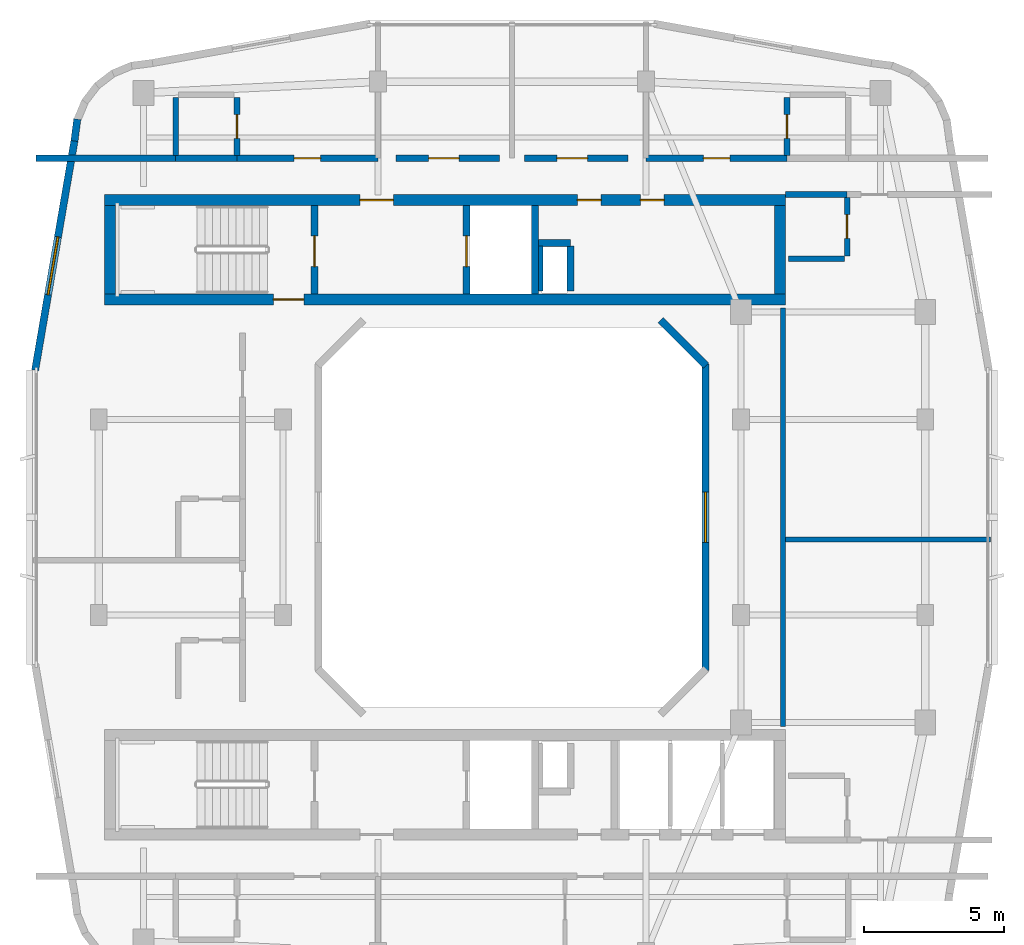
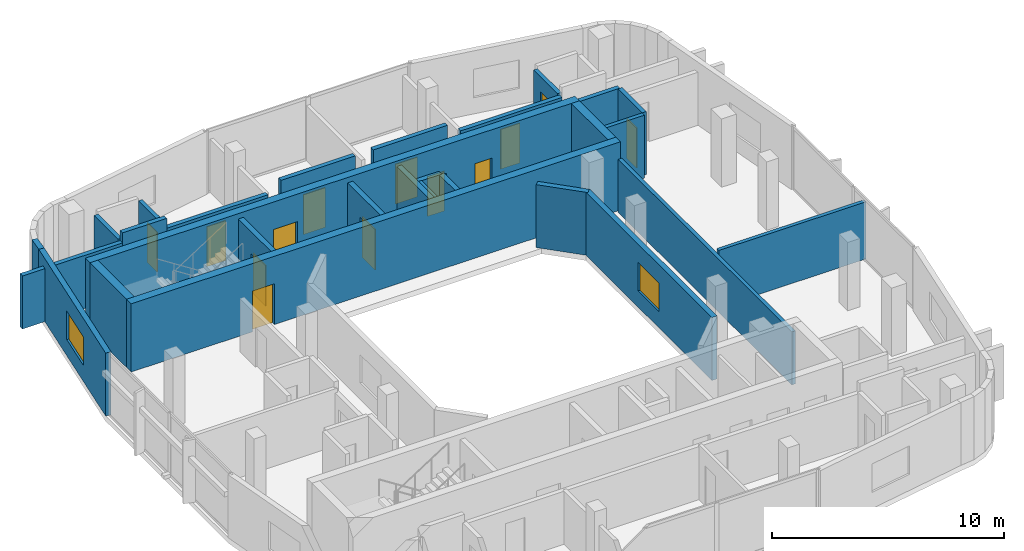
# One storey, part 5 of 8: 28 walls, 13 doors, 2 windows, 15 openings.
"""IFC4 building model written with IfcOpenShell, lengths in metres."""

from ifc_helpers import new_model, si_unit, derived_unit, direction, frame, frame_2d, origin, place, context, subcontext, project, spatial, rectangle, extrude, material, layer, layer_set, type_object, element, fill, save


model = new_model("IFC4")

# Units and contexts
model_context = context("Model", 3, precision=1e-05, world=origin(), true_north=direction((0.0, 1.0)))
body_context = subcontext(model_context, "Body", "Model", "MODEL_VIEW")
ifc_project = project(units=[si_unit("LENGTHUNIT", "METRE"), si_unit("AREAUNIT", "SQUARE_METRE"), si_unit("VOLUMEUNIT", "CUBIC_METRE"), si_unit("PLANEANGLEUNIT", "RADIAN"), si_unit("MASSUNIT", "GRAM", prefix="KILO"), derived_unit("THERMALTRANSMITTANCEUNIT", [(si_unit("POWERUNIT", "WATT"), 1), (si_unit("LENGTHUNIT", "METRE"), -2), (si_unit("THERMODYNAMICTEMPERATUREUNIT", "KELVIN"), -1)])], contexts=[model_context])

# Site, building, storey
site_placement = place(None, origin())
site = spatial("IfcSite", under=ifc_project, at=site_placement, CompositionType="ELEMENT")
building_placement = place(site_placement, origin())
building = spatial("IfcBuilding", under=site, at=building_placement, Name="Kivonza Crest Hotel", CompositionType="ELEMENT")
storey_placement = place(building_placement, frame((0.0, 0.0, 257.60009765625)))
storey = spatial("IfcBuildingStorey", under=building, at=storey_placement, Name="L70", CompositionType="ELEMENT", Elevation=257.60009765625)

# Walls
ifc_material_1 = material(Name="High-density acoustic masonry inter-tenancy wall", Category="masonry")
ifc_layer_1 = layer(ifc_material_1, 0.179931640625)
ifc_layer_set_1 = layer_set([ifc_layer_1], Name="High-density acoustic masonry inter-tenancy wall")
wall_type_1 = type_object("IfcWallType", Name="WL-ACOU-180", PredefinedType="SOLIDWALL", material=ifc_layer_set_1)
wall_1_placement = place(storey_placement, frame((30.800048828125, 24.199951171875, 0.0), z_axis=(0.0, 0.0, 1.0), x_axis=(1.0, 0.0, 0.0)))
element("IfcWall", 1, at=wall_1_placement, inside=storey, type_object=wall_type_1, Name="L70 interior partition WA-L70-T1EC-DIV", PredefinedType="SOLIDWALL", context=body_context, shape_type="SweptSolid", body=[
    extrude(rectangle(XDim=7.33984375, YDim=0.179931640625, at=frame_2d((3.669921875, 0.0))), origin(), (0.0, 0.0, 1.0), 3.014892578125),
])
wall_2_placement = place(storey_placement, frame((30.7099609375, 17.5, 0.0), z_axis=(0.0, 0.0, 1.0), x_axis=(0.0, 1.0, 0.0)))
element("IfcWall", 2, at=wall_2_placement, inside=storey, type_object=wall_type_1, Name="L70 interior partition WA-L70-T1EC-W", PredefinedType="SOLIDWALL", context=body_context, shape_type="SweptSolid", body=[
    extrude(rectangle(XDim=15.0, YDim=0.179931640625, at=frame_2d((7.5, 0.0))), origin(), (0.0, 0.0, 1.0), 2.794921875),
])
ifc_material_2 = material(Name="Autoclaved aerated concrete blockwork", Category="masonry")
ifc_layer_2 = layer(ifc_material_2, 0.219970703125)
ifc_layer_set_2 = layer_set([ifc_layer_2], Name="Autoclaved aerated concrete blockwork")
wall_type_2 = type_object("IfcWallType", Name="WL-ACOU-220", PredefinedType="SOLIDWALL", material=ifc_layer_set_2)
wall_3_placement = place(storey_placement, frame((3.9599609375, 37.860107421875, 0.0), z_axis=(0.0, 0.0, 1.0), x_axis=(1.0, 0.0, 0.0)))
element("IfcWall", 3, at=wall_3_placement, inside=storey, type_object=wall_type_2, Name="L70 interior partition WA-L70-N01-XCORR", PredefinedType="SOLIDWALL", context=body_context, shape_type="SweptSolid", body=[
    extrude(rectangle(XDim=4.989990234375, YDim=0.219970703125, at=frame_2d((2.4951171875, 0.0))), origin(), (0.0, 0.0, 1.0), 2.794921875),
])
wall_4_placement = place(storey_placement, frame((8.949951171875, 37.860107421875, 0.0), z_axis=(0.0, 0.0, 1.0), x_axis=(1.0, 0.0, 0.0)))
element("IfcWall", 4, at=wall_4_placement, inside=storey, type_object=wall_type_2, Name="L70 interior partition WA-L70-N01-BCORR", PredefinedType="SOLIDWALL", context=body_context, shape_type="SweptSolid", body=[
    extrude(rectangle(XDim=2.199951171875, YDim=0.219970703125, at=frame_2d((1.10009765625, 0.0))), origin(), (0.0, 0.0, 1.0), 3.31982421875),
])

# Wall, opening, door
wall_5_placement = place(storey_placement, frame((11.14990234375, 37.860107421875, 0.0), z_axis=(0.0, 0.0, 1.0), x_axis=(1.0, 0.0, 0.0)))
wall_5 = element("IfcWall", 5, at=wall_5_placement, inside=storey, type_object=wall_type_2, Name="L70 interior partition WA-L70-N01-MCORR", PredefinedType="SOLIDWALL", context=body_context, shape_type="SweptSolid", body=[
    extrude(rectangle(XDim=5.050048828125, YDim=0.219970703125, at=frame_2d((2.52490234375, 0.0))), origin(), (0.0, 0.0, 1.0), 2.794921875),
])
opening_1_placement = place(wall_5_placement, frame((2.050048828125, 0.0, 0.0)))
opening_1 = element("IfcOpeningElement", 6, at=opening_1_placement, cuts=wall_5, Name="Opening DU-60", PredefinedType="OPENING", context=body_context, shape_type="SweptSolid", body=[
    extrude(rectangle(XDim=0.949951171875, YDim=2.10009765625, at=frame_2d((0.47509765625, 1.050048828125))), frame((0.0, 0.1201171875, 0.0), z_axis=(0.0, -1.0, 0.0), x_axis=(1.0, 0.0, 0.0)), (0.0, 0.0, 1.0), 0.239990234375),
])
ifc_material_3 = material(Name="Hardwood timber oak", Category="wood")
door_type_1 = type_object("IfcDoorType", Name="DR-UNIT-950", OperationType="NOTDEFINED", PredefinedType="DOOR", material=ifc_material_3)
door_1_placement = place(opening_1_placement, origin())
door_1 = element("IfcDoor", 7, at=door_1_placement, inside=storey, type_object=door_type_1, Name="L70 N01 guest unit entrance fire door", OperationType="SINGLE_SWING_LEFT", OverallHeight=2.10009765625, OverallWidth=0.949951171875, PredefinedType="DOOR", context=body_context, shape_type="SweptSolid", body=[
    extrude(rectangle(XDim=0.949951171875, YDim=2.10009765625, at=frame_2d((0.47509765625, 1.050048828125))), frame((0.0, 0.02490234375, 0.0), z_axis=(0.0, -1.0, 0.0), x_axis=(1.0, 0.0, 0.0)), (0.0, 0.0, 1.0), 0.050048828125),
])
fill(opening_1, door_1)

wall_6_placement = place(storey_placement, frame((16.85009765625, 37.860107421875, 0.0), z_axis=(0.0, 0.0, 1.0), x_axis=(1.0, 0.0, 0.0)))
wall_6 = element("IfcWall", 8, at=wall_6_placement, inside=storey, type_object=wall_type_2, Name="L70 interior partition WA-L70-Z4-OFF1-S", PredefinedType="SOLIDWALL", context=body_context, shape_type="SweptSolid", body=[
    extrude(rectangle(XDim=3.699951171875, YDim=0.219970703125, at=frame_2d((1.85009765625, 0.0))), origin(), (0.0, 0.0, 1.0), 3.31982421875),
])
opening_2_placement = place(wall_6_placement, frame((1.159912109375, 0.0, 0.0)))
opening_2 = element("IfcOpeningElement", 9, at=opening_2_placement, cuts=wall_6, Name="Opening DF-60M", PredefinedType="OPENING", context=body_context, shape_type="SweptSolid", body=[
    extrude(rectangle(XDim=1.10009765625, YDim=2.10009765625, at=frame_2d((0.550048828125, 1.050048828125))), frame((0.0, 0.1201171875, 0.0), z_axis=(0.0, -1.0, 0.0), x_axis=(1.0, 0.0, 0.0)), (0.0, 0.0, 1.0), 0.239990234375),
])
door_type_2 = type_object("IfcDoorType", Name="DR-FD60-1100", OperationType="NOTDEFINED", PredefinedType="DOOR", material=ifc_material_3)
door_2_placement = place(opening_2_placement, origin())
door_2 = element("IfcDoor", 10, at=door_2_placement, inside=storey, type_object=door_type_2, Name="L70 Presidential Diplomatic Office door", OperationType="SINGLE_SWING_RIGHT", OverallHeight=2.10009765625, OverallWidth=1.10009765625, PredefinedType="DOOR", context=body_context, shape_type="SweptSolid", body=[
    extrude(rectangle(XDim=1.10009765625, YDim=2.10009765625, at=frame_2d((0.550048828125, 1.050048828125))), frame((0.0, 0.02490234375, 0.0), z_axis=(0.0, -1.0, 0.0), x_axis=(1.0, 0.0, 0.0)), (0.0, 0.0, 1.0), 0.050048828125),
])
fill(opening_2, door_2)

wall_7_placement = place(storey_placement, frame((21.449951171875, 37.860107421875, 0.0), z_axis=(0.0, 0.0, 1.0), x_axis=(1.0, 0.0, 0.0)))
wall_7 = element("IfcWall", 11, at=wall_7_placement, inside=storey, type_object=wall_type_2, Name="L70 interior partition WA-L70-Z4-OFF2-S", PredefinedType="SOLIDWALL", context=body_context, shape_type="SweptSolid", body=[
    extrude(rectangle(XDim=3.699951171875, YDim=0.219970703125, at=frame_2d((1.85009765625, 0.0))), origin(), (0.0, 0.0, 1.0), 3.31982421875),
])
opening_3_placement = place(wall_7_placement, frame((1.159912109375, 0.0, 0.0)))
opening_3 = element("IfcOpeningElement", 12, at=opening_3_placement, cuts=wall_7, Name="Opening DF-60M", PredefinedType="OPENING", context=body_context, shape_type="SweptSolid", body=[
    extrude(rectangle(XDim=1.10009765625, YDim=2.10009765625, at=frame_2d((0.550048828125, 1.050048828125))), frame((0.0, 0.1201171875, 0.0), z_axis=(0.0, -1.0, 0.0), x_axis=(1.0, 0.0, 0.0)), (0.0, 0.0, 1.0), 0.239990234375),
])
door_3_placement = place(opening_3_placement, origin())
door_3 = element("IfcDoor", 13, at=door_3_placement, inside=storey, type_object=door_type_2, Name="L70 Presidential Delegation Office door", OperationType="SINGLE_SWING_LEFT", OverallHeight=2.10009765625, OverallWidth=1.10009765625, PredefinedType="DOOR", context=body_context, shape_type="SweptSolid", body=[
    extrude(rectangle(XDim=1.10009765625, YDim=2.10009765625, at=frame_2d((0.550048828125, 1.050048828125))), frame((0.0, 0.02490234375, 0.0), z_axis=(0.0, -1.0, 0.0), x_axis=(1.0, 0.0, 0.0)), (0.0, 0.0, 1.0), 0.050048828125),
])
fill(opening_3, door_3)

wall_8_placement = place(storey_placement, frame((25.800048828125, 37.860107421875, 0.0), z_axis=(0.0, 0.0, 1.0), x_axis=(1.0, 0.0, 0.0)))
wall_8 = element("IfcWall", 14, at=wall_8_placement, inside=storey, type_object=wall_type_2, Name="L70 interior partition WA-L70-N02-MCORR", PredefinedType="SOLIDWALL", context=body_context, shape_type="SweptSolid", body=[
    extrude(rectangle(XDim=5.050048828125, YDim=0.219970703125, at=frame_2d((2.52490234375, 0.0))), origin(), (0.0, 0.0, 1.0), 2.794921875),
])
opening_4_placement = place(wall_8_placement, frame((2.050048828125, 0.0, 0.0)))
opening_4 = element("IfcOpeningElement", 15, at=opening_4_placement, cuts=wall_8, Name="Opening DU-60", PredefinedType="OPENING", context=body_context, shape_type="SweptSolid", body=[
    extrude(rectangle(XDim=0.949951171875, YDim=2.10009765625, at=frame_2d((0.47509765625, 1.050048828125))), frame((0.0, 0.1201171875, 0.0), z_axis=(0.0, -1.0, 0.0), x_axis=(1.0, 0.0, 0.0)), (0.0, 0.0, 1.0), 0.239990234375),
])
door_4_placement = place(opening_4_placement, origin())
door_4 = element("IfcDoor", 16, at=door_4_placement, inside=storey, type_object=door_type_1, Name="L70 N02 guest unit entrance fire door", OperationType="SINGLE_SWING_RIGHT", OverallHeight=2.10009765625, OverallWidth=0.949951171875, PredefinedType="DOOR", context=body_context, shape_type="SweptSolid", body=[
    extrude(rectangle(XDim=0.949951171875, YDim=2.10009765625, at=frame_2d((0.47509765625, 1.050048828125))), frame((0.0, 0.02490234375, 0.0), z_axis=(0.0, -1.0, 0.0), x_axis=(1.0, 0.0, 0.0)), (0.0, 0.0, 1.0), 0.050048828125),
])
fill(opening_4, door_4)

# Wall
wall_9_placement = place(storey_placement, frame((30.800048828125, 36.56005859375, 0.0), z_axis=(0.0, 0.0, 1.0), x_axis=(1.0, 0.0, 0.0)))
element("IfcWall", 17, at=wall_9_placement, inside=storey, type_object=wall_type_2, Name="L70 interior partition WA-L70-EN08-BCORR", PredefinedType="SOLIDWALL", context=body_context, shape_type="SweptSolid", body=[
    extrude(rectangle(XDim=2.199951171875, YDim=0.219970703125, at=frame_2d((1.10009765625, 0.0))), origin(), (0.0, 0.0, 1.0), 3.31982421875),
])

# Wall, opening, door
ifc_material_4 = material(Name="Concrete C50/60", Category="concrete")
ifc_layer_3 = layer(ifc_material_4, 0.39990234375)
ifc_layer_set_3 = layer_set([ifc_layer_3], Name="Concrete C50/60")
wall_type_3 = type_object("IfcWallType", Name="WL-CORE-400", PredefinedType="SHEAR", material=ifc_layer_set_3)
wall_10_placement = place(storey_placement, frame((6.39990234375, 32.800048828125, 0.0), z_axis=(0.0, 0.0, 1.0), x_axis=(1.0, 0.0, 0.0)))
wall_10 = element("IfcWall", 18, at=wall_10_placement, inside=storey, type_object=wall_type_3, Name="Core wall T1-N South L70", PredefinedType="SHEAR", context=body_context, shape_type="SweptSolid", body=[
    extrude(rectangle(XDim=24.400146484375, YDim=0.39990234375, at=frame_2d((12.2001953125, 0.0))), origin(), (0.0, 0.0, 1.0), 3.599853515625),
])
opening_5_placement = place(wall_10_placement, frame((6.050048828125, 0.0, 0.0)))
opening_5 = element("IfcOpeningElement", 19, at=opening_5_placement, cuts=wall_10, Name="Opening DF-120", PredefinedType="OPENING", context=body_context, shape_type="SweptSolid", body=[
    extrude(rectangle(XDim=1.10009765625, YDim=2.14990234375, at=frame_2d((0.550048828125, 1.074951171875))), frame((0.0, 0.2099609375, 0.0), z_axis=(0.0, -1.0, 0.0), x_axis=(1.0, 0.0, 0.0)), (0.0, 0.0, 1.0), 0.419921875),
])
ifc_material_5 = material(Name="Galvanised steel", Category="steel")
door_type_3 = type_object("IfcDoorType", Name="DR-FD120-1100", OperationType="NOTDEFINED", PredefinedType="DOOR", material=ifc_material_5)
door_5_placement = place(opening_5_placement, origin())
door_5 = element("IfcDoor", 20, at=door_5_placement, inside=storey, type_object=door_type_3, Name="L70 West corridor stair access fire door", OperationType="SINGLE_SWING_LEFT", OverallHeight=2.14990234375, OverallWidth=1.10009765625, PredefinedType="DOOR", context=body_context, shape_type="SweptSolid", body=[
    extrude(rectangle(XDim=1.10009765625, YDim=2.14990234375, at=frame_2d((0.550048828125, 1.074951171875))), frame((0.0, 0.02490234375, 0.0), z_axis=(0.0, -1.0, 0.0), x_axis=(1.0, 0.0, 0.0)), (0.0, 0.0, 1.0), 0.050048828125),
])
fill(opening_5, door_5)

# Wall, openings, doors
wall_11_placement = place(storey_placement, frame((6.39990234375, 36.360107421875, 0.0), z_axis=(0.0, 0.0, 1.0), x_axis=(1.0, 0.0, 0.0)))
wall_11 = element("IfcWall", 21, at=wall_11_placement, inside=storey, type_object=wall_type_3, Name="Core wall T1-N North L70", PredefinedType="SHEAR", context=body_context, shape_type="SweptSolid", body=[
    extrude(rectangle(XDim=24.400146484375, YDim=0.39990234375, at=frame_2d((12.2001953125, 0.0))), origin(), (0.0, 0.0, 1.0), 3.599853515625),
])
opening_6_placement = place(wall_11_placement, frame((9.14990234375, 0.0, 0.0)))
opening_6 = element("IfcOpeningElement", 22, at=opening_6_placement, cuts=wall_11, Name="Opening DF-60", PredefinedType="OPENING", context=body_context, shape_type="SweptSolid", body=[
    extrude(rectangle(XDim=1.199951171875, YDim=2.14990234375, at=frame_2d((0.60009765625, 1.074951171875))), frame((0.0, 0.2099609375, 0.0), z_axis=(0.0, -1.0, 0.0), x_axis=(1.0, 0.0, 0.0)), (0.0, 0.0, 1.0), 0.419921875),
])
opening_7_placement = place(wall_11_placement, frame((19.199951171875, 0.0, 0.0)))
opening_7 = element("IfcOpeningElement", 23, at=opening_7_placement, cuts=wall_11, Name="Opening DF-60R", PredefinedType="OPENING", context=body_context, shape_type="SweptSolid", body=[
    extrude(rectangle(XDim=0.85009765625, YDim=2.10009765625, at=frame_2d((0.425048828125, 1.050048828125))), frame((0.0, 0.2099609375, 0.0), z_axis=(0.0, -1.0, 0.0), x_axis=(1.0, 0.0, 0.0)), (0.0, 0.0, 1.0), 0.419921875),
])
opening_8_placement = place(wall_11_placement, frame((16.93994140625, 0.0, 0.0)))
opening_8 = element("IfcOpeningElement", 24, at=opening_8_placement, cuts=wall_11, Name="Opening DF-60R", PredefinedType="OPENING", context=body_context, shape_type="SweptSolid", body=[
    extrude(rectangle(XDim=0.85009765625, YDim=2.10009765625, at=frame_2d((0.425048828125, 1.050048828125))), frame((0.0, 0.2099609375, 0.0), z_axis=(0.0, -1.0, 0.0), x_axis=(1.0, 0.0, 0.0)), (0.0, 0.0, 1.0), 0.419921875),
])
door_type_4 = type_object("IfcDoorType", Name="DR-FD60-1200", OperationType="NOTDEFINED", PredefinedType="DOOR", material=ifc_material_3)
door_6_placement = place(opening_6_placement, origin())
door_6 = element("IfcDoor", 25, at=door_6_placement, inside=storey, type_object=door_type_4, Name="L70 T1-N firefighting lobby fire door", OperationType="SINGLE_SWING_RIGHT", OverallHeight=2.14990234375, OverallWidth=1.199951171875, PredefinedType="DOOR", context=body_context, shape_type="SweptSolid", body=[
    extrude(rectangle(XDim=1.199951171875, YDim=2.14990234375, at=frame_2d((0.60009765625, 1.074951171875))), frame((0.0, 0.02490234375, 0.0), z_axis=(0.0, -1.0, 0.0), x_axis=(1.0, 0.0, 0.0)), (0.0, 0.0, 1.0), 0.050048828125),
])
fill(opening_6, door_6)
door_type_5 = type_object("IfcDoorType", Name="DR-FD60-850", OperationType="NOTDEFINED", PredefinedType="DOOR", material=ifc_material_3)
door_7_placement = place(opening_7_placement, origin())
door_7 = element("IfcDoor", 26, at=door_7_placement, inside=storey, type_object=door_type_5, Name="L70 T1-N reclaimed core service door", OperationType="SINGLE_SWING_LEFT", OverallHeight=2.10009765625, OverallWidth=0.85009765625, PredefinedType="DOOR", context=body_context, shape_type="SweptSolid", body=[
    extrude(rectangle(XDim=0.85009765625, YDim=2.10009765625, at=frame_2d((0.425048828125, 1.050048828125))), frame((0.0, 0.02490234375, 0.0), z_axis=(0.0, -1.0, 0.0), x_axis=(1.0, 0.0, 0.0)), (0.0, 0.0, 1.0), 0.050048828125),
])
fill(opening_7, door_7)
door_8_placement = place(opening_8_placement, origin())
door_8 = element("IfcDoor", 27, at=door_8_placement, inside=storey, type_object=door_type_5, Name="L70 T1-N core room door", OperationType="SINGLE_SWING_RIGHT", OverallHeight=2.10009765625, OverallWidth=0.85009765625, PredefinedType="DOOR", context=body_context, shape_type="SweptSolid", body=[
    extrude(rectangle(XDim=0.85009765625, YDim=2.10009765625, at=frame_2d((0.425048828125, 1.050048828125))), frame((0.0, 0.02490234375, 0.0), z_axis=(0.0, -1.0, 0.0), x_axis=(1.0, 0.0, 0.0)), (0.0, 0.0, 1.0), 0.050048828125),
])
fill(opening_8, door_8)

# Walls
for number, where, z_axis, x_axis, name in (
    (28, (6.60009765625, 33.0, 0.0), (0.0, 0.0, 1.0), (0.0, 1.0, 0.0), "Core wall T1-N West L70"),
    (29, (30.60009765625, 33.0, 0.0), (0.0, 0.0, 1.0), (0.0, 1.0, 0.0), "Core wall T1-N East L70"),
):
    element("IfcWall", number, at=place(storey_placement, frame(where, z_axis=z_axis, x_axis=x_axis)), inside=storey, type_object=wall_type_3, Name=name, PredefinedType="SHEAR", context=body_context, shape_type="SweptSolid", body=[
        extrude(rectangle(XDim=3.159912109375, YDim=0.39990234375, at=frame_2d((1.580078125, 0.0))), origin(), (0.0, 0.0, 1.0), 3.599853515625),
    ])
ifc_material_6 = material(Name="Precast concrete C40/50", Category="concrete")
ifc_layer_4 = layer(ifc_material_6, 0.260009765625)
ifc_layer_set_4 = layer_set([ifc_layer_4], Name="Precast concrete C40/50")
wall_type_4 = type_object("IfcWallType", Name="WL-EXT-260", PredefinedType="STANDARD", material=ifc_layer_set_4)
wall_12_placement = place(storey_placement, frame((5.430908203125, 39.259033203125, 0.0), z_axis=(0.0, 0.0, 1.0), x_axis=(-0.130302751316, -0.991474252313, 0.0)))
element("IfcWall", 30, at=wall_12_placement, inside=storey, type_object=wall_type_4, Name="L70 T1 exterior insulated wall 33", PredefinedType="STANDARD", context=body_context, shape_type="SweptSolid", body=[
    extrude(rectangle(XDim=0.790771484375, YDim=0.260009765625, at=frame_2d((0.3955078125, 0.0))), origin(), (0.0, 0.0, 1.0), 3.31982421875),
])

# Wall, opening, window
wall_13_placement = place(storey_placement, frame((5.3291015625, 38.486083984375, 0.0), z_axis=(0.0, 0.0, 1.0), x_axis=(-0.169038545376, -0.985609440994, 0.0)))
wall_13 = element("IfcWall", 31, at=wall_13_placement, inside=storey, type_object=wall_type_4, Name="L70 T1 exterior insulated wall 34", PredefinedType="STANDARD", context=body_context, shape_type="SweptSolid", body=[
    extrude(rectangle(XDim=8.34228515625, YDim=0.260009765625, at=frame_2d((4.171142578125, 0.0))), origin(), (0.0, 0.0, 1.0), 3.31982421875),
])
opening_9_placement = place(wall_13_placement, frame((3.49609375, 0.0, 0.85009765625)))
opening_9 = element("IfcOpeningElement", 32, at=opening_9_placement, cuts=wall_13, Name="Opening WN-04", PredefinedType="OPENING", context=body_context, shape_type="SweptSolid", body=[
    extrude(rectangle(XDim=2.10009765625, YDim=1.5, at=frame_2d((1.050048828125, 0.75))), frame((0.0, 0.14013671875, 0.0), z_axis=(0.0, -1.0, 0.0), x_axis=(1.0, 0.0, 0.0)), (0.0, 0.0, 1.0), 0.280029296875),
])
ifc_material_7 = material(Name="Thermally broken bronze aluminium and low-E double glazing", Category="aluminium")
window_type_1 = type_object("IfcWindowType", Name="WN-210x150", PartitioningType="DOUBLE_PANEL_VERTICAL", PredefinedType="WINDOW", material=ifc_material_7)
window_1_placement = place(opening_9_placement, origin())
window_1 = element("IfcWindow", 33, at=window_1_placement, inside=storey, type_object=window_type_1, Name="L70 T1 facade window 34", OverallHeight=1.5, OverallWidth=2.10009765625, PartitioningType="SINGLE_PANEL", PredefinedType="WINDOW", context=body_context, shape_type="SweptSolid", body=[
    extrude(rectangle(XDim=2.10009765625, YDim=1.5, at=frame_2d((1.050048828125, 0.75))), frame((0.0, 0.030029296875, 0.0), z_axis=(0.0, -1.0, 0.0), x_axis=(1.0, 0.0, 0.0)), (0.0, 0.0, 1.0), 0.06005859375),
])
fill(opening_9, window_1)

wall_14_placement = place(storey_placement, frame((27.929931640625, 19.510009765625, 0.0), z_axis=(0.0, 0.0, 1.0), x_axis=(0.0, 1.0, 0.0)))
wall_14 = element("IfcWall", 34, at=wall_14_placement, inside=storey, type_object=wall_type_4, Name="L70 T1 light-well exterior wall 3", PredefinedType="STANDARD", context=body_context, shape_type="SweptSolid", body=[
    extrude(rectangle(XDim=10.97998046875, YDim=0.260009765625, at=frame_2d((5.489990234375, 0.0))), origin(), (0.0, 0.0, 1.0), 3.31982421875),
])
opening_10_placement = place(wall_14_placement, frame((4.590087890625, 0.0, 0.85009765625)))
opening_10 = element("IfcOpeningElement", 35, at=opening_10_placement, cuts=wall_14, Name="Opening WN-03", PredefinedType="OPENING", context=body_context, shape_type="SweptSolid", body=[
    extrude(rectangle(XDim=1.800048828125, YDim=1.5, at=frame_2d((0.89990234375, 0.75))), frame((0.0, 0.14013671875, 0.0), z_axis=(0.0, -1.0, 0.0), x_axis=(1.0, 0.0, 0.0)), (0.0, 0.0, 1.0), 0.280029296875),
])
window_type_2 = type_object("IfcWindowType", Name="WN-180x150", PartitioningType="DOUBLE_PANEL_VERTICAL", PredefinedType="WINDOW", material=ifc_material_7)
window_2_placement = place(opening_10_placement, origin())
window_2 = element("IfcWindow", 36, at=window_2_placement, inside=storey, type_object=window_type_2, Name="L70 T1 light-well window 3", OverallHeight=1.5, OverallWidth=1.800048828125, PartitioningType="SINGLE_PANEL", PredefinedType="WINDOW", context=body_context, shape_type="SweptSolid", body=[
    extrude(rectangle(XDim=1.800048828125, YDim=1.5, at=frame_2d((0.89990234375, 0.75))), frame((0.0, 0.030029296875, 0.0), z_axis=(0.0, -1.0, 0.0), x_axis=(1.0, 0.0, 0.0)), (0.0, 0.0, 1.0), 0.06005859375),
])
fill(opening_10, window_2)

# Walls
wall_15_placement = place(storey_placement, frame((27.9560546875, 30.427978515625, 0.0), z_axis=(0.0, 0.0, 1.0), x_axis=(-0.707106781187, 0.707106781187, 0.0)))
element("IfcWall", 37, at=wall_15_placement, inside=storey, type_object=wall_type_4, Name="L70 T1 light-well exterior wall 4", PredefinedType="STANDARD", context=body_context, shape_type="SweptSolid", body=[
    extrude(rectangle(XDim=2.310791015625, YDim=0.260009765625, at=frame_2d((1.1552734375, 0.0))), origin(), (0.0, 0.0, 1.0), 3.31982421875),
])
ifc_material_8 = material(Name="Concrete blockwork fire-compartment wall", Category="masonry")
ifc_layer_5 = layer(ifc_material_8, 0.25)
ifc_layer_set_5 = layer_set([ifc_layer_5], Name="Concrete blockwork fire-compartment wall")
wall_type_5 = type_object("IfcWallType", Name="WL-FIRE-250", PredefinedType="SOLIDWALL", material=ifc_layer_set_5)
wall_16_placement = place(storey_placement, frame((23.10009765625, 33.10009765625, 0.0), z_axis=(0.0, 0.0, 1.0), x_axis=(0.0, 1.0, 0.0)))
element("IfcWall", 38, at=wall_16_placement, inside=storey, type_object=wall_type_5, Name="L70 interior partition WA-L70-T1-N-MEPR-E", PredefinedType="SOLIDWALL", context=body_context, shape_type="SweptSolid", body=[
    extrude(rectangle(XDim=1.619873046875, YDim=0.25, at=frame_2d((0.81005859375, 0.0))), origin(), (0.0, 0.0, 1.0), 3.31982421875),
])
wall_17_placement = place(storey_placement, frame((21.949951171875, 34.820068359375, 0.0), z_axis=(0.0, 0.0, 1.0), x_axis=(1.0, 0.0, 0.0)))
element("IfcWall", 39, at=wall_17_placement, inside=storey, type_object=wall_type_5, Name="L70 interior partition WA-L70-T1-N-MEPR-H", PredefinedType="SOLIDWALL", context=body_context, shape_type="SweptSolid", body=[
    extrude(rectangle(XDim=1.150146484375, YDim=0.25, at=frame_2d((0.5751953125, 0.0))), origin(), (0.0, 0.0, 1.0), 3.31982421875),
])
ifc_material_9 = material(Name="Twin-stud acoustic gypsum board partition", Category="gypsum")
ifc_layer_6 = layer(ifc_material_9, 0.14990234375)
ifc_layer_set_6 = layer_set([ifc_layer_6], Name="Twin-stud acoustic gypsum board partition")
wall_type_6 = type_object("IfcWallType", Name="WL-PART-150", PredefinedType="PARTITIONING", material=ifc_layer_set_6)
wall_18_placement = place(storey_placement, frame((22.030029296875, 33.10009765625, 0.0), z_axis=(0.0, 0.0, 1.0), x_axis=(0.0, 1.0, 0.0)))
element("IfcWall", 40, at=wall_18_placement, inside=storey, type_object=wall_type_6, Name="L70 interior partition WA-L70-T1-N-MEPR-W", PredefinedType="PARTITIONING", context=body_context, shape_type="SweptSolid", body=[
    extrude(rectangle(XDim=1.619873046875, YDim=0.14990234375, at=frame_2d((0.81005859375, 0.0))), origin(), (0.0, 0.0, 1.0), 3.31982421875),
])

# Wall, opening, door
ifc_material_10 = material(Name="Moisture-resistant plumbing chase partition wall", Category="gypsum")
ifc_layer_7 = layer(ifc_material_10, 0.199951171875)
ifc_layer_set_7 = layer_set([ifc_layer_7], Name="Moisture-resistant plumbing chase partition wall")
wall_type_7 = type_object("IfcWallType", Name="WL-PLUMB-200", PredefinedType="PLUMBINGWALL", material=ifc_layer_set_7)
wall_19_placement = place(storey_placement, frame((11.14990234375, 37.9599609375, 0.0), z_axis=(0.0, 0.0, 1.0), x_axis=(0.0, 1.0, 0.0)))
wall_19 = element("IfcWall", 41, at=wall_19_placement, inside=storey, type_object=wall_type_7, Name="L70 interior partition WW-L70-N01-BV", PredefinedType="PLUMBINGWALL", context=body_context, shape_type="SweptSolid", body=[
    extrude(rectangle(XDim=2.072021484375, YDim=0.199951171875, at=frame_2d((1.0361328125, 0.0))), origin(), (0.0, 0.0, 1.0), 2.89501953125),
])
opening_11_placement = place(wall_19_placement, frame((0.611083984375, 0.0, 0.0)))
opening_11 = element("IfcOpeningElement", 42, at=opening_11_placement, cuts=wall_19, Name="Opening DI-85", PredefinedType="OPENING", context=body_context, shape_type="SweptSolid", body=[
    extrude(rectangle(XDim=0.85009765625, YDim=2.10009765625, at=frame_2d((0.425048828125, 1.050048828125))), frame((0.0, 0.10986328125, 0.0), z_axis=(0.0, -1.0, 0.0), x_axis=(1.0, 0.0, 0.0)), (0.0, 0.0, 1.0), 0.219970703125),
])
door_type_6 = type_object("IfcDoorType", Name="DR-INT-850", OperationType="NOTDEFINED", PredefinedType="DOOR", material=ifc_material_3)
door_9_placement = place(opening_11_placement, frame((0.85009765625, 0.0, 0.0), z_axis=(0.0, 0.0, 1.0), x_axis=(-1.0, 0.0, 0.0)))
door_9 = element("IfcDoor", 43, at=door_9_placement, inside=storey, type_object=door_type_6, Name="L70 N01 en-suite bathroom door", OperationType="SINGLE_SWING_RIGHT", OverallHeight=2.10009765625, OverallWidth=0.85009765625, PredefinedType="DOOR", context=body_context, shape_type="SweptSolid", body=[
    extrude(rectangle(XDim=0.85009765625, YDim=2.10009765625, at=frame_2d((0.425048828125, 1.050048828125))), frame((0.0, 0.02490234375, 0.0), z_axis=(0.0, -1.0, 0.0), x_axis=(1.0, 0.0, 0.0)), (0.0, 0.0, 1.0), 0.050048828125),
])
fill(opening_11, door_9)

# Wall
wall_20_placement = place(storey_placement, frame((8.949951171875, 37.9599609375, 0.0), z_axis=(0.0, 0.0, 1.0), x_axis=(0.0, 1.0, 0.0)))
element("IfcWall", 44, at=wall_20_placement, inside=storey, type_object=wall_type_7, Name="L70 interior partition WW-L70-N01-BVW", PredefinedType="PLUMBINGWALL", context=body_context, shape_type="SweptSolid", body=[
    extrude(rectangle(XDim=2.072021484375, YDim=0.199951171875, at=frame_2d((1.0361328125, 0.0))), origin(), (0.0, 0.0, 1.0), 2.89501953125),
])

# Wall, opening, door
wall_21_placement = place(storey_placement, frame((30.85009765625, 37.9599609375, 0.0), z_axis=(0.0, 0.0, 1.0), x_axis=(0.0, 1.0, 0.0)))
wall_21 = element("IfcWall", 45, at=wall_21_placement, inside=storey, type_object=wall_type_7, Name="L70 interior partition WW-L70-N02-BV", PredefinedType="PLUMBINGWALL", context=body_context, shape_type="SweptSolid", body=[
    extrude(rectangle(XDim=2.072021484375, YDim=0.199951171875, at=frame_2d((1.0361328125, 0.0))), origin(), (0.0, 0.0, 1.0), 2.89501953125),
])
opening_12_placement = place(wall_21_placement, frame((0.611083984375, 0.0, 0.0)))
opening_12 = element("IfcOpeningElement", 46, at=opening_12_placement, cuts=wall_21, Name="Opening DI-85", PredefinedType="OPENING", context=body_context, shape_type="SweptSolid", body=[
    extrude(rectangle(XDim=0.85009765625, YDim=2.10009765625, at=frame_2d((0.425048828125, 1.050048828125))), frame((0.0, 0.10986328125, 0.0), z_axis=(0.0, -1.0, 0.0), x_axis=(1.0, 0.0, 0.0)), (0.0, 0.0, 1.0), 0.219970703125),
])
door_10_placement = place(opening_12_placement, origin())
door_10 = element("IfcDoor", 47, at=door_10_placement, inside=storey, type_object=door_type_6, Name="L70 N02 en-suite bathroom door", OperationType="SINGLE_SWING_LEFT", OverallHeight=2.10009765625, OverallWidth=0.85009765625, PredefinedType="DOOR", context=body_context, shape_type="SweptSolid", body=[
    extrude(rectangle(XDim=0.85009765625, YDim=2.10009765625, at=frame_2d((0.425048828125, 1.050048828125))), frame((0.0, 0.02490234375, 0.0), z_axis=(0.0, -1.0, 0.0), x_axis=(1.0, 0.0, 0.0)), (0.0, 0.0, 1.0), 0.050048828125),
])
fill(opening_12, door_10)

wall_22_placement = place(storey_placement, frame((33.0, 34.360107421875, 0.0), z_axis=(0.0, 0.0, 1.0), x_axis=(0.0, 1.0, 0.0)))
wall_22 = element("IfcWall", 48, at=wall_22_placement, inside=storey, type_object=wall_type_7, Name="L70 interior partition WW-L70-EN08-BV", PredefinedType="PLUMBINGWALL", context=body_context, shape_type="SweptSolid", body=[
    extrude(rectangle(XDim=2.099853515625, YDim=0.199951171875, at=frame_2d((1.0498046875, 0.0))), origin(), (0.0, 0.0, 1.0), 3.31982421875),
])
opening_13_placement = place(wall_22_placement, frame((0.625, 0.0, 0.0)))
opening_13 = element("IfcOpeningElement", 49, at=opening_13_placement, cuts=wall_22, Name="Opening DI-85", PredefinedType="OPENING", context=body_context, shape_type="SweptSolid", body=[
    extrude(rectangle(XDim=0.85009765625, YDim=2.10009765625, at=frame_2d((0.425048828125, 1.050048828125))), frame((0.0, 0.10986328125, 0.0), z_axis=(0.0, -1.0, 0.0), x_axis=(1.0, 0.0, 0.0)), (0.0, 0.0, 1.0), 0.219970703125),
])
door_11_placement = place(opening_13_placement, frame((0.85009765625, 0.0, 0.0), z_axis=(0.0, 0.0, 1.0), x_axis=(-1.0, 0.0, 0.0)))
door_11 = element("IfcDoor", 50, at=door_11_placement, inside=storey, type_object=door_type_6, Name="L70 EN08 en-suite bathroom door", OperationType="SINGLE_SWING_RIGHT", OverallHeight=2.10009765625, OverallWidth=0.85009765625, PredefinedType="DOOR", context=body_context, shape_type="SweptSolid", body=[
    extrude(rectangle(XDim=0.85009765625, YDim=2.10009765625, at=frame_2d((0.425048828125, 1.050048828125))), frame((0.0, 0.02490234375, 0.0), z_axis=(0.0, -1.0, 0.0), x_axis=(1.0, 0.0, 0.0)), (0.0, 0.0, 1.0), 0.050048828125),
])
fill(opening_13, door_11)

# Wall
wall_23_placement = place(storey_placement, frame((30.89990234375, 34.260009765625, 0.0), z_axis=(0.0, 0.0, 1.0), x_axis=(1.0, 0.0, 0.0)))
element("IfcWall", 51, at=wall_23_placement, inside=storey, type_object=wall_type_7, Name="L70 interior partition WW-L70-EN08-BH", PredefinedType="PLUMBINGWALL", context=body_context, shape_type="SweptSolid", body=[
    extrude(rectangle(XDim=2.0, YDim=0.199951171875, at=frame_2d((1.0, 0.0))), origin(), (0.0, 0.0, 1.0), 3.31982421875),
])

# Wall, opening, door
ifc_layer_8 = layer(ifc_material_4, 0.25)
ifc_layer_set_8 = layer_set([ifc_layer_8], Name="Concrete C50/60")
wall_type_8 = type_object("IfcWallType", Name="WL-SHAFT-250", PredefinedType="STANDARD", material=ifc_layer_set_8)
wall_24_placement = place(storey_placement, frame((13.925048828125, 33.0, 0.0), z_axis=(0.0, 0.0, 1.0), x_axis=(0.0, 1.0, 0.0)))
wall_24 = element("IfcWall", 52, at=wall_24_placement, inside=storey, type_object=wall_type_8, Name="Core shaft wall T1-N STAIR L70", PredefinedType="STANDARD", context=body_context, shape_type="SweptSolid", body=[
    extrude(rectangle(XDim=3.159912109375, YDim=0.25, at=frame_2d((1.580078125, 0.0))), origin(), (0.0, 0.0, 1.0), 3.31982421875),
])
opening_14_placement = place(wall_24_placement, frame((0.97998046875, 0.0, 0.0)))
opening_14 = element("IfcOpeningElement", 53, at=opening_14_placement, cuts=wall_24, Name="Opening DF-120", PredefinedType="OPENING", context=body_context, shape_type="SweptSolid", body=[
    extrude(rectangle(XDim=1.10009765625, YDim=2.14990234375, at=frame_2d((0.550048828125, 1.074951171875))), frame((0.0, 0.135009765625, 0.0), z_axis=(0.0, -1.0, 0.0), x_axis=(1.0, 0.0, 0.0)), (0.0, 0.0, 1.0), 0.27001953125),
])
door_12_placement = place(opening_14_placement, frame((1.10009765625, 0.0, 0.0), z_axis=(0.0, 0.0, 1.0), x_axis=(-1.0, 0.0, 0.0)))
door_12 = element("IfcDoor", 54, at=door_12_placement, inside=storey, type_object=door_type_3, Name="L70 T1-N stair fire door", OperationType="SINGLE_SWING_LEFT", OverallHeight=2.14990234375, OverallWidth=1.10009765625, PredefinedType="DOOR", context=body_context, shape_type="SweptSolid", body=[
    extrude(rectangle(XDim=1.10009765625, YDim=2.14990234375, at=frame_2d((0.550048828125, 1.074951171875))), frame((0.0, 0.02490234375, 0.0), z_axis=(0.0, -1.0, 0.0), x_axis=(1.0, 0.0, 0.0)), (0.0, 0.0, 1.0), 0.050048828125),
])
fill(opening_14, door_12)

wall_25_placement = place(storey_placement, frame((19.375, 33.0, 0.0), z_axis=(0.0, 0.0, 1.0), x_axis=(0.0, 1.0, 0.0)))
wall_25 = element("IfcWall", 55, at=wall_25_placement, inside=storey, type_object=wall_type_8, Name="Core shaft wall T1-N FFL-W L70", PredefinedType="STANDARD", context=body_context, shape_type="SweptSolid", body=[
    extrude(rectangle(XDim=3.159912109375, YDim=0.25, at=frame_2d((1.580078125, 0.0))), origin(), (0.0, 0.0, 1.0), 3.31982421875),
])
opening_15_placement = place(wall_25_placement, frame((0.97998046875, 0.0, 0.0)))
opening_15 = element("IfcOpeningElement", 56, at=opening_15_placement, cuts=wall_25, Name="Opening LD-120", PredefinedType="OPENING", context=body_context, shape_type="SweptSolid", body=[
    extrude(rectangle(XDim=1.10009765625, YDim=2.14990234375, at=frame_2d((0.550048828125, 1.074951171875))), frame((0.0, 0.135009765625, 0.0), z_axis=(0.0, -1.0, 0.0), x_axis=(1.0, 0.0, 0.0)), (0.0, 0.0, 1.0), 0.27001953125),
])
ifc_material_11 = material(Name="Stainless steel", Category="steel")
door_type_7 = type_object("IfcDoorType", Name="DR-LD120-1100", OperationType="NOTDEFINED", PredefinedType="DOOR", material=ifc_material_11)
door_13_placement = place(opening_15_placement, origin())
door_13 = element("IfcDoor", 57, at=door_13_placement, inside=storey, type_object=door_type_7, Name="L70 FFL-T1-N firefighting lift sliding landing door", OperationType="DOUBLE_DOOR_SLIDING", OverallHeight=2.14990234375, OverallWidth=1.10009765625, PredefinedType="DOOR", context=body_context, shape_type="SweptSolid", body=[
    extrude(rectangle(XDim=1.10009765625, YDim=2.14990234375, at=frame_2d((0.550048828125, 1.074951171875))), frame((0.0, 0.02490234375, 0.0), z_axis=(0.0, -1.0, 0.0), x_axis=(1.0, 0.0, 0.0)), (0.0, 0.0, 1.0), 0.050048828125),
])
fill(opening_15, door_13)

# Wall
wall_26_placement = place(storey_placement, frame((21.824951171875, 33.0, 0.0), z_axis=(0.0, 0.0, 1.0), x_axis=(0.0, 1.0, 0.0)))
element("IfcWall", 58, at=wall_26_placement, inside=storey, type_object=wall_type_8, Name="Core shaft wall T1-N FFL-E L70", PredefinedType="STANDARD", context=body_context, shape_type="SweptSolid", body=[
    extrude(rectangle(XDim=3.159912109375, YDim=0.25, at=frame_2d((1.580078125, 0.0))), origin(), (0.0, 0.0, 1.0), 3.31982421875),
])

save(model, "model.ifc")
